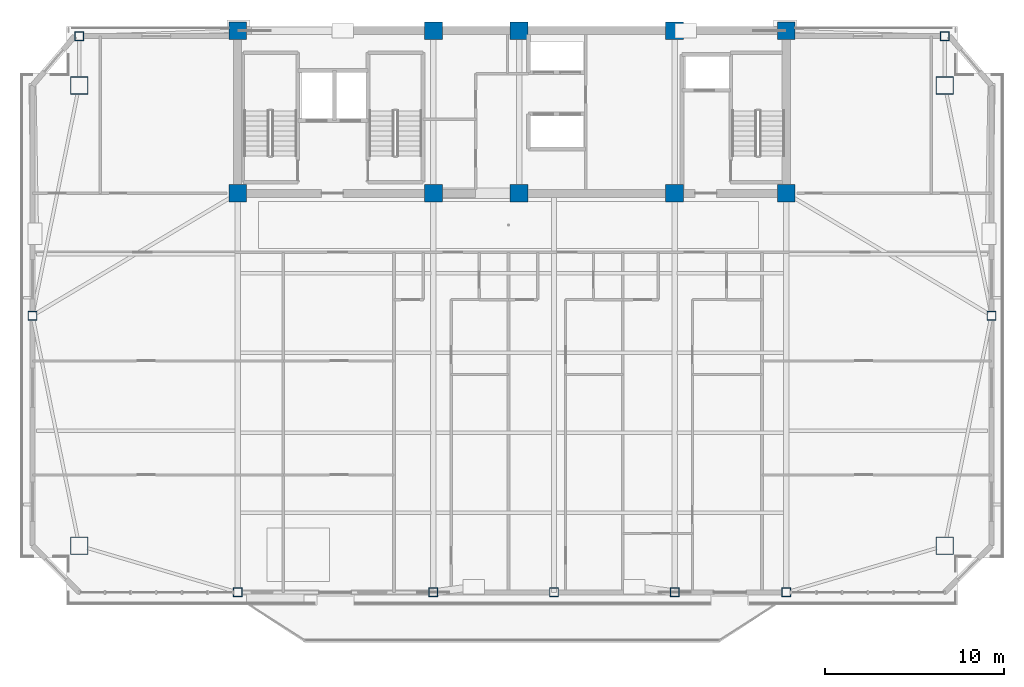
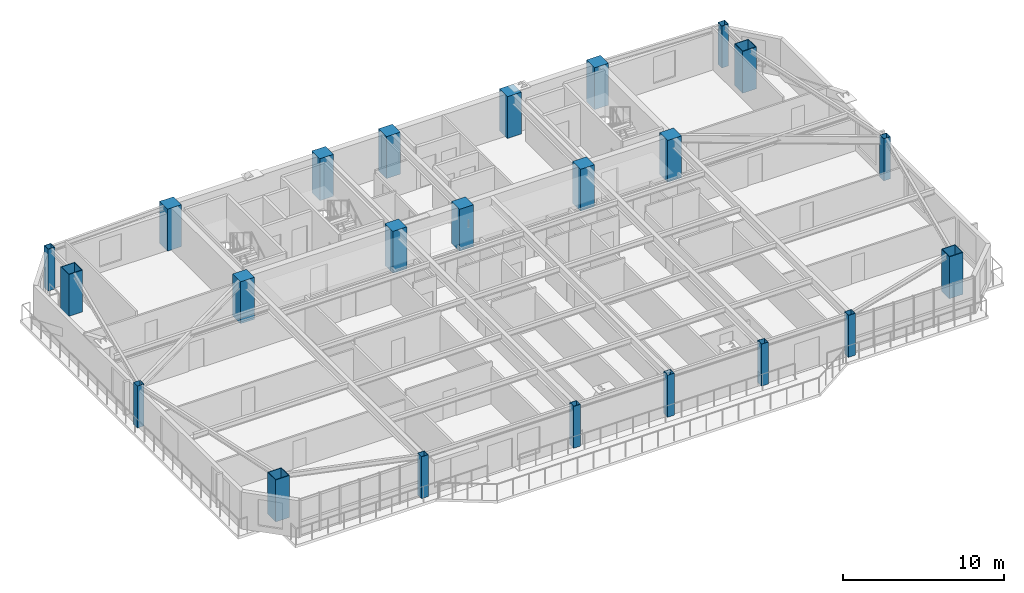
# One storey, part 1 of 17: 23 columns.
"""IFC4 building model written with IfcOpenShell, lengths in metres."""

from ifc_helpers import new_model, si_unit, direction, frame, origin, origin_2d, place, context, subcontext, project, spatial, rectangle, hollow_rectangle, extrude, source, transform, mapped, material, material_profile, profile_set, type_object, element, save


model = new_model("IFC4")

# Units and contexts
model_context = context("Model", 3, precision=1e-05, world=origin(), true_north=direction((0.0, 1.0)))
body_context = subcontext(model_context, "Body", "Model", "MODEL_VIEW")
ifc_project = project(units=[si_unit("LENGTHUNIT", "METRE"), si_unit("AREAUNIT", "SQUARE_METRE"), si_unit("VOLUMEUNIT", "CUBIC_METRE"), si_unit("PLANEANGLEUNIT", "RADIAN"), si_unit("MASSUNIT", "GRAM", prefix="KILO")], contexts=[model_context])

# Site, building, storey
site_placement = place(None, origin())
site = spatial("IfcSite", under=ifc_project, at=site_placement, CompositionType="ELEMENT")
building_placement = place(site_placement, origin())
building = spatial("IfcBuilding", under=site, at=building_placement, Name="Giltprow Tower", CompositionType="ELEMENT")
storey_placement = place(building_placement, frame((0.0, 0.0, 248.5)))
storey = spatial("IfcBuildingStorey", under=building, at=storey_placement, Name="L63", CompositionType="ELEMENT", Elevation=248.5)

# Columns
ifc_material_1 = material(Name="Concrete C50", Category="concrete")
ifc_material_profile_1 = material_profile(ifc_material_1, rectangle(XDim=1.0, YDim=1.0, at=origin_2d()), Name="RC 1000x1000")
ifc_profile_set_1 = profile_set([ifc_material_profile_1], Name="Concrete C50")
column_type_1 = type_object("IfcColumnType", Name="PIL-RC-1000-C50", PredefinedType="PILASTER", material=ifc_profile_set_1)
shared_shape_1 = source(origin(), body_context, "Body", "SweptSolid", [
    extrude(rectangle(XDim=1.0, YDim=1.0, at=origin_2d()), origin(), (0.0, 0.0, 1.0), 3.18505859375),
])
for number, where, z_axis, x_axis, name in (
    (1, (19.85009765625, 37.449951171875, 0.0), (0.0, 0.0, 1.0), (1.0, 0.0, 0.0), "L63 Core Boundary Pilaster 1-1"),
    (2, (19.85009765625, 46.550048828125, 0.0), (0.0, 0.0, 1.0), (1.0, 0.0, 0.0), "L63 Core Boundary Pilaster 1-2"),
    (3, (30.800048828125, 37.449951171875, 0.0), (0.0, 0.0, 1.0), (1.0, 0.0, 0.0), "L63 Core Boundary Pilaster 2-1"),
    (4, (30.800048828125, 46.550048828125, 0.0), (0.0, 0.0, 1.0), (1.0, 0.0, 0.0), "L63 Core Boundary Pilaster 2-2"),
    (5, (35.60009765625, 37.449951171875, 0.0), (0.0, 0.0, 1.0), (1.0, 0.0, 0.0), "L63 Core Boundary Pilaster 3-1"),
    (6, (35.60009765625, 46.550048828125, 0.0), (0.0, 0.0, 1.0), (1.0, 0.0, 0.0), "L63 Core Boundary Pilaster 3-2"),
    (7, (44.300048828125, 37.449951171875, 0.0), (0.0, 0.0, 1.0), (1.0, 0.0, 0.0), "L63 Core Boundary Pilaster 4-1"),
    (8, (44.300048828125, 46.550048828125, 0.0), (0.0, 0.0, 1.0), (1.0, 0.0, 0.0), "L63 Core Boundary Pilaster 4-2"),
    (9, (50.550048828125, 37.449951171875, 0.0), (0.0, 0.0, 1.0), (1.0, 0.0, 0.0), "L63 Core Boundary Pilaster 5-1"),
    (10, (50.550048828125, 46.550048828125, 0.0), (0.0, 0.0, 1.0), (1.0, 0.0, 0.0), "L63 Core Boundary Pilaster 5-2"),
):
    element("IfcColumn", number, at=place(storey_placement, frame(where, z_axis=z_axis, x_axis=x_axis)), inside=storey, type_object=column_type_1, Name=name, PredefinedType="PILASTER", context=body_context, shape_type="MappedRepresentation", body=[
        mapped(shared_shape_1, transform((0.0, 0.0, 0.0), x_axis=(1.0, 0.0, 0.0), y_axis=(0.0, 1.0, 0.0), z_axis=(0.0, 0.0, 1.0), scale=1.0)),
    ])
ifc_material_2 = material(Name="Structural steel Q420GJC", Category="steel")
ifc_material_profile_2 = material_profile(ifc_material_2, hollow_rectangle(XDim=1.0, YDim=1.0, WallThickness=0.044921875, at=origin_2d()), Name="BOX 1000x1000x45")
ifc_profile_set_2 = profile_set([ifc_material_profile_2], Name="Structural steel Q420GJC")
column_type_2 = type_object("IfcColumnType", Name="COL-BOX-1000x1000x45", PredefinedType="COLUMN", material=ifc_profile_set_2)
shared_shape_2 = source(origin(), body_context, "Body", "SweptSolid", [
    extrude(hollow_rectangle(XDim=1.0, YDim=1.0, WallThickness=0.044921875, at=origin_2d()), origin(), (0.0, 0.0, 1.0), 3.18505859375),
])
for number, where, z_axis, x_axis, name in (
    (11, (10.97900390625, 17.72802734375, 0.0), (0.0, 0.0, 1.0), (1.0, 0.0, 0.0), "L63 Mega-Column MC_SW"),
    (12, (59.422119140625, 17.72802734375, 0.0), (0.0, 0.0, 1.0), (1.0, 0.0, 0.0), "L63 Mega-Column MC_SE"),
    (13, (10.97900390625, 43.485107421875, 0.0), (0.0, 0.0, 1.0), (1.0, 0.0, 0.0), "L63 Mega-Column MC_NW"),
    (14, (59.422119140625, 43.485107421875, 0.0), (0.0, 0.0, 1.0), (1.0, 0.0, 0.0), "L63 Mega-Column MC_NE"),
):
    element("IfcColumn", number, at=place(storey_placement, frame(where, z_axis=z_axis, x_axis=x_axis)), inside=storey, type_object=column_type_2, Name=name, PredefinedType="COLUMN", context=body_context, shape_type="MappedRepresentation", body=[
        mapped(shared_shape_2, transform((0.0, 0.0, 0.0), x_axis=(1.0, 0.0, 0.0), y_axis=(0.0, 1.0, 0.0), z_axis=(0.0, 0.0, 1.0), scale=1.0)),
    ])
ifc_material_3 = material(Name="Structural steel Q355B", Category="steel")
ifc_material_profile_3 = material_profile(ifc_material_3, hollow_rectangle(XDim=0.5, YDim=0.5, WallThickness=0.02392578125, at=origin_2d()), Name="BOX 500x500x24")
ifc_profile_set_3 = profile_set([ifc_material_profile_3], Name="Structural steel Q355B")
column_type_3 = type_object("IfcColumnType", Name="COL-BOX-500x500x24", PredefinedType="COLUMN", material=ifc_profile_set_3)
shared_shape_3 = source(origin(), body_context, "Body", "SweptSolid", [
    extrude(hollow_rectangle(XDim=0.5, YDim=0.5, WallThickness=0.02392578125, at=origin_2d()), origin(), (0.0, 0.0, 1.0), 3.18505859375),
])
for number, where, z_axis, x_axis, name in (
    (15, (19.85009765625, 15.113037109375, 0.0), (0.0, 0.0, 1.0), (1.0, 0.0, 0.0), "L63 Perimeter Column S1"),
    (16, (30.800048828125, 15.113037109375, 0.0), (0.0, 0.0, 1.0), (1.0, 0.0, 0.0), "L63 Perimeter Column S2"),
    (17, (37.550048828125, 15.113037109375, 0.0), (0.0, 0.0, 1.0), (1.0, 0.0, 0.0), "L63 Perimeter Column S_MID"),
    (18, (44.300048828125, 15.113037109375, 0.0), (0.0, 0.0, 1.0), (1.0, 0.0, 0.0), "L63 Perimeter Column S3"),
    (19, (50.550048828125, 15.113037109375, 0.0), (0.0, 0.0, 1.0), (1.0, 0.0, 0.0), "L63 Perimeter Column S4"),
    (20, (8.364013671875, 30.60693359375, 0.0), (0.0, 0.0, 1.0), (1.0, 0.0, 0.0), "L63 Perimeter Column W_MID"),
    (21, (62.037109375, 30.60693359375, 0.0), (0.0, 0.0, 1.0), (1.0, 0.0, 0.0), "L63 Perimeter Column E_MID"),
    (22, (10.97900390625, 46.25, 0.0), (0.0, 0.0, 1.0), (1.0, 0.0, 0.0), "L63 Perimeter Column N_W"),
    (23, (59.422119140625, 46.25, 0.0), (0.0, 0.0, 1.0), (1.0, 0.0, 0.0), "L63 Perimeter Column N_E"),
):
    element("IfcColumn", number, at=place(storey_placement, frame(where, z_axis=z_axis, x_axis=x_axis)), inside=storey, type_object=column_type_3, Name=name, PredefinedType="COLUMN", context=body_context, shape_type="MappedRepresentation", body=[
        mapped(shared_shape_3, transform((0.0, 0.0, 0.0), x_axis=(1.0, 0.0, 0.0), y_axis=(0.0, 1.0, 0.0), z_axis=(0.0, 0.0, 1.0), scale=1.0)),
    ])

save(model, "model.ifc")
